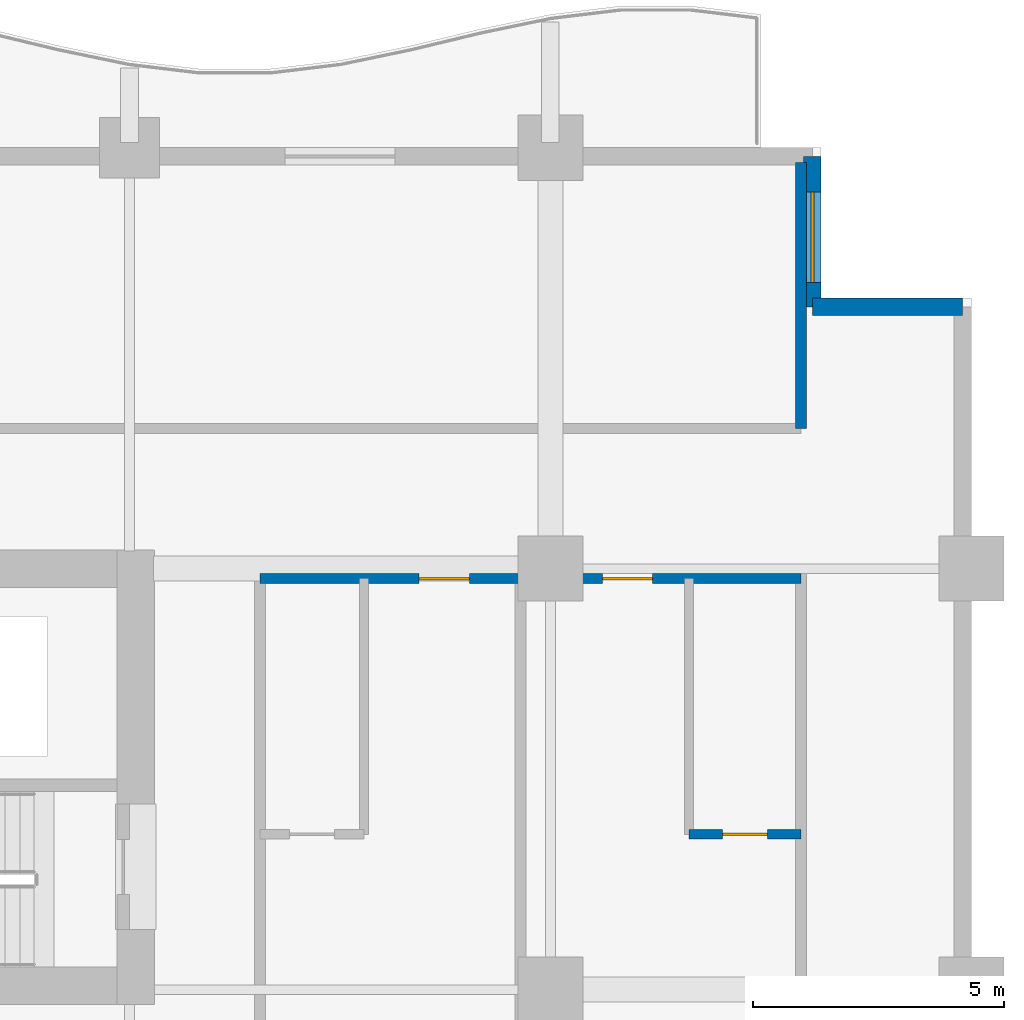
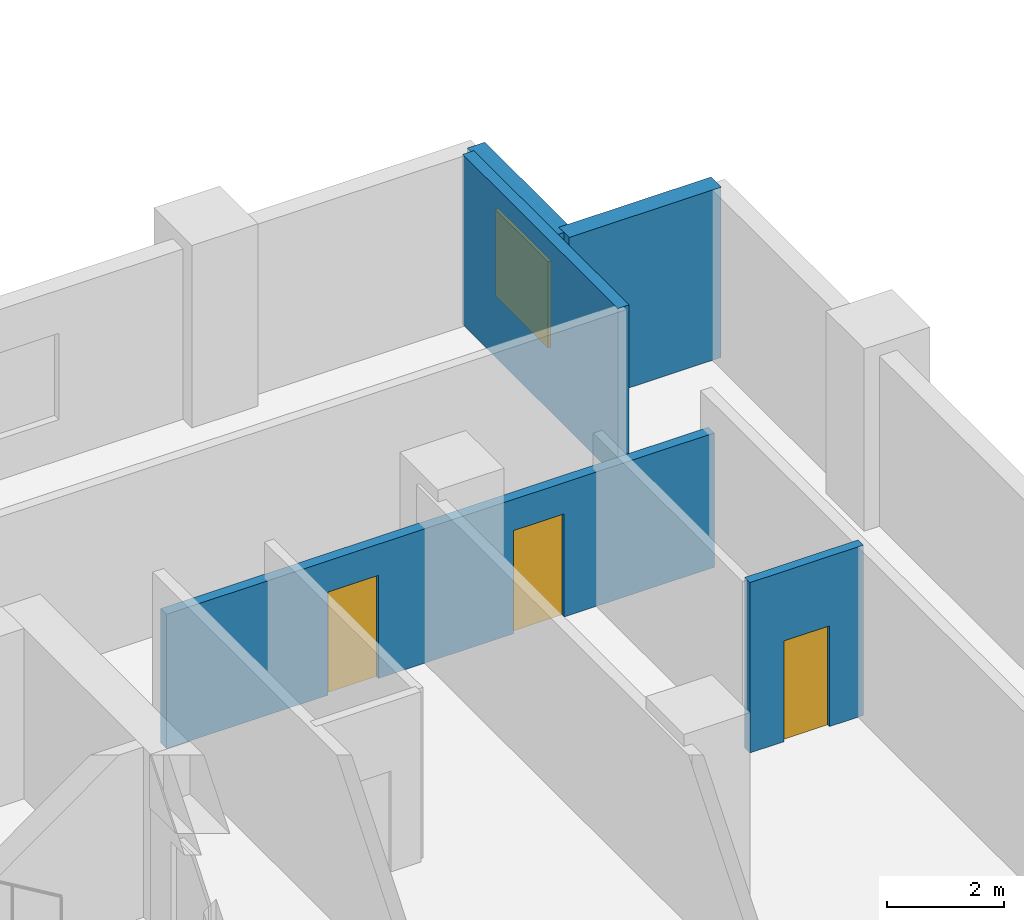
# One storey, part 10 of 18: 5 walls, 3 doors, 1 window, 4 openings.
"""IFC4 building model written with IfcOpenShell, lengths in metres."""

from ifc_helpers import new_model, si_unit, direction, frame, frame_2d, origin, place, context, subcontext, project, spatial, rectangle, extrude, material, layer, layer_set, type_object, element, fill, save


model = new_model("IFC4")

# Units and contexts
model_context = context("Model", 3, precision=1e-05, world=origin(), true_north=direction((0.0, 1.0)))
body_context = subcontext(model_context, "Body", "Model", "MODEL_VIEW")
ifc_project = project(units=[si_unit("LENGTHUNIT", "METRE"), si_unit("AREAUNIT", "SQUARE_METRE"), si_unit("VOLUMEUNIT", "CUBIC_METRE"), si_unit("PLANEANGLEUNIT", "RADIAN"), si_unit("MASSUNIT", "GRAM", prefix="KILO")], contexts=[model_context])

# Site, building, storey
site_placement = place(None, origin())
site = spatial("IfcSite", under=ifc_project, at=site_placement, CompositionType="ELEMENT")
building_placement = place(site_placement, origin())
building = spatial("IfcBuilding", under=site, at=building_placement, Name="Koriwani Terraces Tower", CompositionType="ELEMENT")
storey_placement = place(building_placement, frame((0.0, 0.0, 107.60009765625)))
storey = spatial("IfcBuildingStorey", under=building, at=storey_placement, Name="L25", CompositionType="ELEMENT", Elevation=107.60009765625)

# Wall, openings, doors
ifc_material_1 = material(Name="Autoclaved Cellular Concrete Blockwork", Category="masonry")
ifc_layer_1 = layer(ifc_material_1, 0.199951171875, Name="Autoclaved Cellular Concrete Blockwork")
ifc_layer_set_1 = layer_set([ifc_layer_1], Name="Autoclaved Cellular Concrete Blockwork")
wall_type_1 = type_object("IfcWallType", Name="WALL_CORRIDOR_200", PredefinedType="PARTITIONING", material=ifc_layer_set_1)
wall_1_placement = place(storey_placement, frame((61.39990234375, 25.0, 0.0), z_axis=(0.0, 0.0, 1.0), x_axis=(1.0, 0.0, 0.0)))
wall_1 = element("IfcWall", 1, at=wall_1_placement, inside=storey, type_object=wall_type_1, Name="L25 Interior Wall WCOR-L25-SE-0", PredefinedType="PARTITIONING", context=body_context, shape_type="SweptSolid", body=[
    extrude(rectangle(XDim=10.800048828125, YDim=0.199951171875, at=frame_2d((5.39990234375, 0.0))), origin(), (0.0, 0.0, 1.0), 2.7998046875),
])
opening_1_placement = place(wall_1_placement, frame((3.179931640625, 0.0, 0.0)))
opening_1 = element("IfcOpeningElement", 2, at=opening_1_placement, cuts=wall_1, Name="Opening D-05", PredefinedType="OPENING", context=body_context, shape_type="SweptSolid", body=[
    extrude(rectangle(XDim=1.0, YDim=2.14990234375, at=frame_2d((0.5, 1.074951171875))), frame((0.0, 0.10986328125, 0.0), z_axis=(0.0, -1.0, 0.0), x_axis=(1.0, 0.0, 0.0)), (0.0, 0.0, 1.0), 0.219970703125),
])
opening_2_placement = place(wall_1_placement, frame((6.840087890625, 0.0, 0.0)))
opening_2 = element("IfcOpeningElement", 3, at=opening_2_placement, cuts=wall_1, Name="Opening D-05", PredefinedType="OPENING", context=body_context, shape_type="SweptSolid", body=[
    extrude(rectangle(XDim=1.0, YDim=2.14990234375, at=frame_2d((0.5, 1.074951171875))), frame((0.0, 0.10986328125, 0.0), z_axis=(0.0, -1.0, 0.0), x_axis=(1.0, 0.0, 0.0)), (0.0, 0.0, 1.0), 0.219970703125),
])
ifc_material_2 = material(Name="Architectural Oak Fire Door", Category="wood")
door_type_1 = type_object("IfcDoorType", Name="DOOR_SUITE_ENTRY_1000X2150", OperationType="NOTDEFINED", PredefinedType="DOOR", material=ifc_material_2)
door_1_placement = place(opening_1_placement, origin())
door_1 = element("IfcDoor", 4, at=door_1_placement, inside=storey, type_object=door_type_1, Name="Luxury Hotel Suite 25SE1 Entrance Door", OperationType="SINGLE_SWING_LEFT", OverallHeight=2.14990234375, OverallWidth=1.0, PredefinedType="DOOR", context=body_context, shape_type="SweptSolid", body=[
    extrude(rectangle(XDim=1.0, YDim=2.14990234375, at=frame_2d((0.5, 1.074951171875))), frame((0.0, 0.02490234375, 0.0), z_axis=(0.0, -1.0, 0.0), x_axis=(1.0, 0.0, 0.0)), (0.0, 0.0, 1.0), 0.050048828125),
])
fill(opening_1, door_1)
door_2_placement = place(opening_2_placement, origin())
door_2 = element("IfcDoor", 5, at=door_2_placement, inside=storey, type_object=door_type_1, Name="Luxury Hotel Suite 25SE2 Entrance Door", OperationType="SINGLE_SWING_LEFT", OverallHeight=2.14990234375, OverallWidth=1.0, PredefinedType="DOOR", context=body_context, shape_type="SweptSolid", body=[
    extrude(rectangle(XDim=1.0, YDim=2.14990234375, at=frame_2d((0.5, 1.074951171875))), frame((0.0, 0.02490234375, 0.0), z_axis=(0.0, -1.0, 0.0), x_axis=(1.0, 0.0, 0.0)), (0.0, 0.0, 1.0), 0.050048828125),
])
fill(opening_2, door_2)

# Wall
ifc_layer_2 = layer(ifc_material_1, 0.219970703125, Name="Autoclaved Cellular Concrete Blockwork")
ifc_layer_set_2 = layer_set([ifc_layer_2], Name="Autoclaved Cellular Concrete Blockwork")
wall_type_2 = type_object("IfcWallType", Name="WALL_DEMISING_220", PredefinedType="PARTITIONING", material=ifc_layer_set_2)
wall_2_placement = place(storey_placement, frame((72.199951171875, 28.0, 0.0), z_axis=(0.0, 0.0, 1.0), x_axis=(0.0, 1.0, 0.0)))
element("IfcWall", 6, at=wall_2_placement, inside=storey, type_object=wall_type_2, Name="L25 Interior Wall WSEC-E-L25", PredefinedType="PARTITIONING", context=body_context, shape_type="SweptSolid", body=[
    extrude(rectangle(XDim=5.300048828125, YDim=0.219970703125, at=frame_2d((2.64990234375, 0.0))), origin(), (0.0, 0.0, 1.0), 3.5498046875),
])

# Wall, opening, window
ifc_material_3 = material(Name="Concrete C50/60", Category="concrete")
ifc_layer_3 = layer(ifc_material_3, 0.35009765625, Name="Concrete C50/60")
ifc_layer_set_3 = layer_set([ifc_layer_3], Name="Concrete C50/60")
wall_type_3 = type_object("IfcWallType", Name="WALL_EXT_BRUTALIST_350", PredefinedType="STANDARD", material=ifc_layer_set_3)
wall_3_placement = place(storey_placement, frame((72.425048828125, 33.425048828125, 0.0), z_axis=(0.0, 0.0, 1.0), x_axis=(0.0, -1.0, 0.0)))
wall_3 = element("IfcWall", 7, at=wall_3_placement, inside=storey, type_object=wall_type_3, Name="L25 Fair-Faced Brutalist Exterior Wall (N10)", PredefinedType="STANDARD", context=body_context, shape_type="SweptSolid", body=[
    extrude(rectangle(XDim=3.0, YDim=0.35009765625, at=frame_2d((1.5, 0.0))), origin(), (0.0, 0.0, 1.0), 3.5498046875),
])
opening_3_placement = place(wall_3_placement, frame((0.71240234375, 0.0, 0.85009765625)))
opening_3 = element("IfcOpeningElement", 8, at=opening_3_placement, cuts=wall_3, Name="Opening W-04", PredefinedType="OPENING", context=body_context, shape_type="SweptSolid", body=[
    extrude(rectangle(XDim=1.800048828125, YDim=1.800048828125, at=frame_2d((0.89990234375, 0.89990234375))), frame((0.0, 0.18505859375, 0.0), z_axis=(0.0, -1.0, 0.0), x_axis=(1.0, 0.0, 0.0)), (0.0, 0.0, 1.0), 0.3701171875),
])
ifc_material_4 = material(Name="Tempered Laminated Low-E Glass", Category="glass")
window_type = type_object("IfcWindowType", Name="WIN_RES_BED_1800X1800", PartitioningType="DOUBLE_PANEL_VERTICAL", PredefinedType="WINDOW", material=ifc_material_4)
window_placement = place(opening_3_placement, origin())
window = element("IfcWindow", 9, at=window_placement, inside=storey, type_object=window_type, Name="L25 Exterior Window (N10-R59)", OverallHeight=1.800048828125, OverallWidth=1.800048828125, PartitioningType="SINGLE_PANEL", PredefinedType="WINDOW", context=body_context, shape_type="SweptSolid", body=[
    extrude(rectangle(XDim=1.800048828125, YDim=1.800048828125, at=frame_2d((0.89990234375, 0.89990234375))), frame((0.0, 0.030029296875, 0.0), z_axis=(0.0, -1.0, 0.0), x_axis=(1.0, 0.0, 0.0)), (0.0, 0.0, 1.0), 0.06005859375),
])
fill(opening_3, window)

# Wall
wall_4_placement = place(storey_placement, frame((72.425048828125, 30.425048828125, 0.0), z_axis=(0.0, 0.0, 1.0), x_axis=(1.0, 0.0, 0.0)))
element("IfcWall", 10, at=wall_4_placement, inside=storey, type_object=wall_type_3, Name="L25 Fair-Faced Brutalist Exterior Wall (N11)", PredefinedType="STANDARD", context=body_context, shape_type="SweptSolid", body=[
    extrude(rectangle(XDim=3.0, YDim=0.35009765625, at=frame_2d((1.5, 0.0))), origin(), (0.0, 0.0, 1.0), 3.5498046875),
])

# Wall, opening, door
ifc_material_5 = material(Name="Fire-Rated Acoustic Gypsum Partition", Category="masonry")
ifc_layer_4 = layer(ifc_material_5, 0.179931640625, Name="Fire-Rated Acoustic Gypsum Partition")
ifc_layer_set_4 = layer_set([ifc_layer_4], Name="Fire-Rated Acoustic Gypsum Partition")
wall_type_4 = type_object("IfcWallType", Name="WALL_PLUMBING_180", PredefinedType="PLUMBINGWALL", material=ifc_layer_set_4)
wall_5_placement = place(storey_placement, frame((69.9599609375, 19.89990234375, 0.0), z_axis=(0.0, 0.0, 1.0), x_axis=(1.0, 0.0, 0.0)))
wall_5 = element("IfcWall", 11, at=wall_5_placement, inside=storey, type_object=wall_type_4, Name="L25 Interior Wall WBTH1-L25-SE-1", PredefinedType="PLUMBINGWALL", context=body_context, shape_type="SweptSolid", body=[
    extrude(rectangle(XDim=2.239990234375, YDim=0.179931640625, at=frame_2d((1.1201171875, 0.0))), origin(), (0.0, 0.0, 1.0), 3.5498046875),
])
opening_4_placement = place(wall_5_placement, frame((0.669921875, 0.0, 0.0)))
opening_4 = element("IfcOpeningElement", 12, at=opening_4_placement, cuts=wall_5, Name="Opening D-07", PredefinedType="OPENING", context=body_context, shape_type="SweptSolid", body=[
    extrude(rectangle(XDim=0.89990234375, YDim=2.10009765625, at=frame_2d((0.449951171875, 1.050048828125))), frame((0.0, 0.10009765625, 0.0), z_axis=(0.0, -1.0, 0.0), x_axis=(1.0, 0.0, 0.0)), (0.0, 0.0, 1.0), 0.199951171875),
])
door_type_2 = type_object("IfcDoorType", Name="DOOR_BATH_INT_900X2100", OperationType="NOTDEFINED", PredefinedType="DOOR", material=ifc_material_2)
door_3_placement = place(opening_4_placement, origin())
door_3 = element("IfcDoor", 13, at=door_3_placement, inside=storey, type_object=door_type_2, Name="En-Suite Bathroom 25SE2 Door", OperationType="SINGLE_SWING_RIGHT", OverallHeight=2.10009765625, OverallWidth=0.89990234375, PredefinedType="DOOR", context=body_context, shape_type="SweptSolid", body=[
    extrude(rectangle(XDim=0.89990234375, YDim=2.10009765625, at=frame_2d((0.449951171875, 1.050048828125))), frame((0.0, 0.02490234375, 0.0), z_axis=(0.0, -1.0, 0.0), x_axis=(1.0, 0.0, 0.0)), (0.0, 0.0, 1.0), 0.050048828125),
])
fill(opening_4, door_3)

save(model, "model.ifc")
